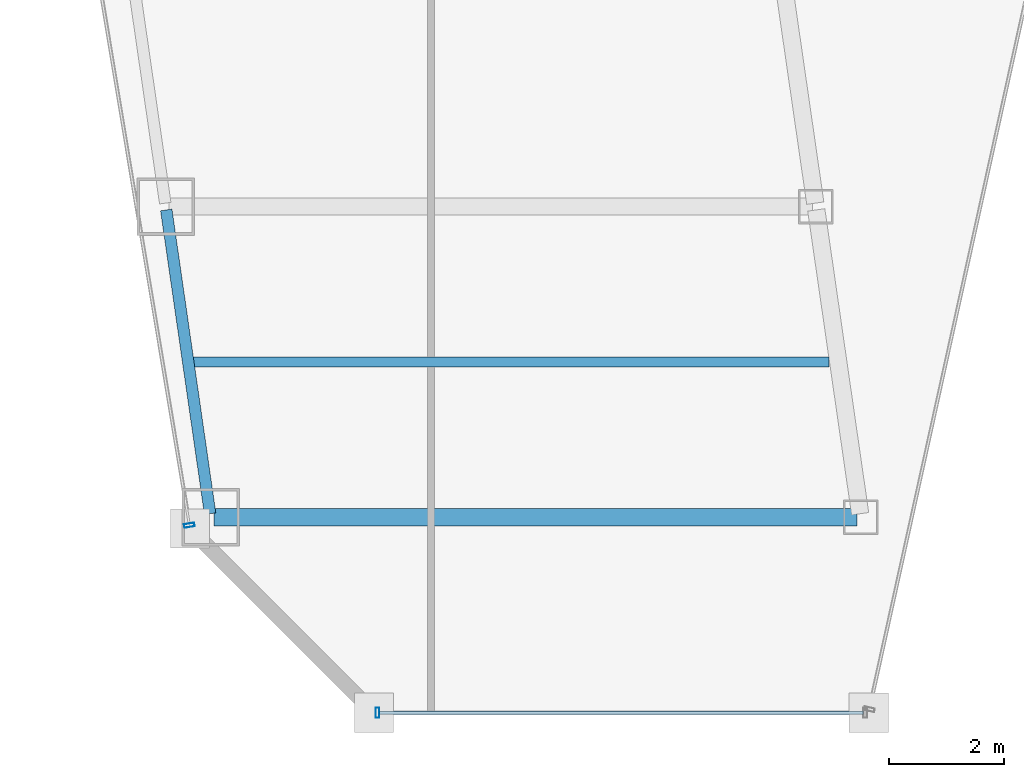
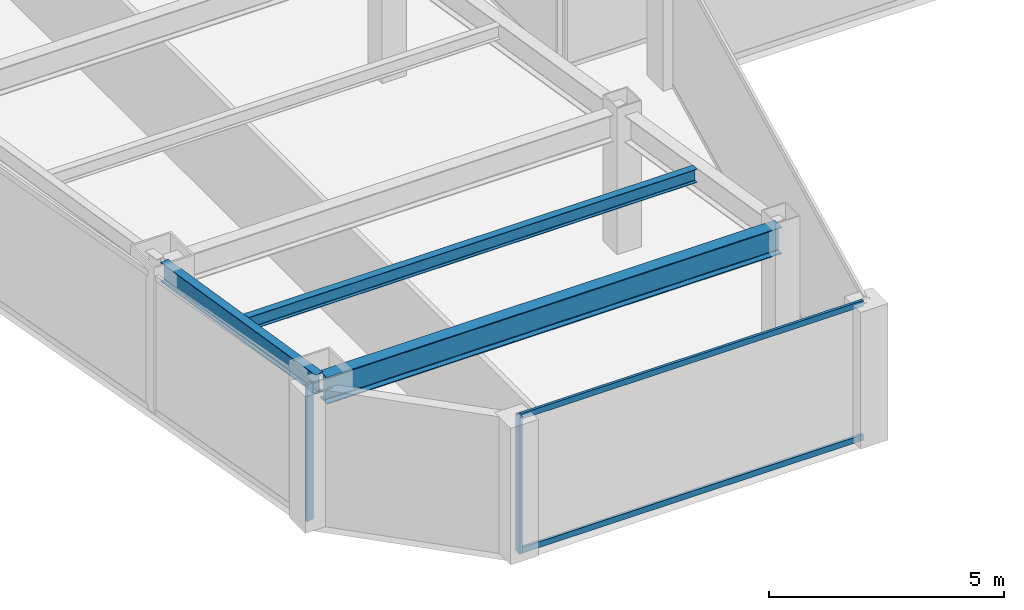
# One storey, part 2 of 37: 4 members, 3 beams, 2 elements without a shape of their own.
"""IFC4 building model written with IfcOpenShell, lengths in metres."""

from ifc_helpers import new_model, si_unit, direction, frame, origin, origin_2d, place, context, subcontext, project, spatial, hollow_rectangle, i_section, extrude, material, material_profile, profile_set, type_object, element, aggregate, save


model = new_model("IFC4")

# Units and contexts
model_context = context("Model", 3, precision=1e-05, world=origin(), true_north=direction((0.0, 1.0)))
body_context = subcontext(model_context, "Body", "Model", "MODEL_VIEW")
ifc_project = project(units=[si_unit("LENGTHUNIT", "METRE"), si_unit("AREAUNIT", "SQUARE_METRE"), si_unit("VOLUMEUNIT", "CUBIC_METRE"), si_unit("PLANEANGLEUNIT", "RADIAN"), si_unit("MASSUNIT", "GRAM", prefix="KILO")], contexts=[model_context])

# Site, building, storey
site_placement = place(None, origin())
site = spatial("IfcSite", under=ifc_project, at=site_placement, CompositionType="ELEMENT")
building_placement = place(site_placement, origin())
building = spatial("IfcBuilding", under=site, at=building_placement, Name="Saevonmaru Cultural Tower", CompositionType="ELEMENT")
storey_placement = place(building_placement, frame((0.0, 0.0, 144.800048828125)))
storey = spatial("IfcBuildingStorey", under=building, at=storey_placement, Name="L31", CompositionType="ELEMENT", Elevation=144.800048828125)

# Beams
ifc_material_1 = material(Name="Steel SM355", Category="steel")
ifc_material_profile_1 = material_profile(ifc_material_1, i_section(OverallWidth=0.300048828125, OverallDepth=0.699951171875, WebThickness=0.012939453125, FlangeThickness=0.02392578125, FilletRadius=0.02587890625, at=origin_2d()), Name="H-700x300x13x24")
ifc_profile_set_1 = profile_set([ifc_material_profile_1], Name="Steel SM355")
beam_type_1 = type_object("IfcBeamType", Name="BM-G-H700", PredefinedType="BEAM", material=ifc_profile_set_1)
beam_1_placement = place(storey_placement, frame((11.468017578125, 10.60009765625, 3.199951171875), z_axis=(1.0, 0.0, 0.0), x_axis=(0.0, 1.0, 0.0)))
element("IfcBeam", 1, at=beam_1_placement, inside=storey, type_object=beam_type_1, Name="L31 West Wing Transverse Girder 1", PredefinedType="BEAM", context=body_context, shape_type="SweptSolid", body=[
    extrude(i_section(OverallWidth=0.300048828125, OverallDepth=0.699951171875, WebThickness=0.012939453125, FlangeThickness=0.02392578125, FilletRadius=0.02587890625, at=origin_2d()), origin(), (0.0, 0.0, 1.0), 11.179931640625),
])
ifc_material_profile_2 = material_profile(ifc_material_1, i_section(OverallWidth=0.175048828125, OverallDepth=0.35009765625, WebThickness=0.007080078125, FlangeThickness=0.010986328125, FilletRadius=0.012939453125, at=origin_2d()), Name="H-350x175x7x11")
ifc_profile_set_2 = profile_set([ifc_material_profile_2], Name="Steel SM355")
beam_type_2 = type_object("IfcBeamType", Name="BM-J-H350", PredefinedType="JOIST", material=ifc_profile_set_2)
beam_2_placement = place(storey_placement, frame((11.077880859375, 13.300048828125, 3.375), z_axis=(1.0, 0.0, 0.0), x_axis=(0.0, 1.0, 0.0)))
element("IfcBeam", 2, at=beam_2_placement, inside=storey, type_object=beam_type_2, Name="L31 West Wing Floor Joist 1", PredefinedType="JOIST", context=body_context, shape_type="SweptSolid", body=[
    extrude(i_section(OverallWidth=0.175048828125, OverallDepth=0.35009765625, WebThickness=0.007080078125, FlangeThickness=0.010986328125, FilletRadius=0.012939453125, at=origin_2d()), origin(), (0.0, 0.0, 1.0), 11.08203125),
])
ifc_material_profile_3 = material_profile(ifc_material_1, i_section(OverallWidth=0.199951171875, OverallDepth=0.5, WebThickness=0.010009765625, FlangeThickness=0.01611328125, FilletRadius=0.02001953125, at=origin_2d()), Name="H-500x200x10x16")
ifc_profile_set_3 = profile_set([ifc_material_profile_3], Name="Steel SM355")
beam_type_3 = type_object("IfcBeamType", Name="BM-SP-H500", PredefinedType="SPANDREL", material=ifc_profile_set_3)
beam_3_placement = place(storey_placement, frame((11.3994140625, 10.659423828125, 3.300048828125), z_axis=(-0.1429328758, 0.989732384544, 0.0), x_axis=(-0.989732384544, -0.1429328758, 0.0)))
element("IfcBeam", 3, at=beam_3_placement, inside=storey, type_object=beam_type_3, Name="L31 West Splayed Spandrel 1", PredefinedType="SPANDREL", context=body_context, shape_type="SweptSolid", body=[
    extrude(i_section(OverallWidth=0.199951171875, OverallDepth=0.5, WebThickness=0.010009765625, FlangeThickness=0.01611328125, FilletRadius=0.02001953125, at=origin_2d()), origin(), (0.0, 0.0, 1.0), 5.3359375),
])

# Curtain wall, member
ifc_material_2 = material(Name="Satin Bronze Anodised Aluminium", Category="aluminium")
curtain_wall_type = type_object("IfcCurtainWallType", Name="CW-TYP-A", PredefinedType="NOTDEFINED", material=ifc_material_2)
curtain_wall_1_placement = place(storey_placement, origin())
curtain_wall_1 = element("IfcCurtainWall", 4, at=curtain_wall_1_placement, inside=storey, type_object=curtain_wall_type, Name="L31 Unitised Curtain Wall E2", PredefinedType="NOTDEFINED")
ifc_material_profile_4 = material_profile(ifc_material_2, hollow_rectangle(XDim=0.06494140625, YDim=0.179931640625, WallThickness=0.00390625, at=origin_2d()), Name="ALU-MULL-180x65x4")
ifc_profile_set_4 = profile_set([ifc_material_profile_4], Name="Satin Bronze Anodised Aluminium")
member_type_1 = type_object("IfcMemberType", Name="ML-CW-180x65", PredefinedType="MULLION", material=ifc_profile_set_4)
member_1_placement = place(storey_placement, frame((14.308837890625, 7.199951171875, 0.0), z_axis=(0.0, 0.0, 1.0), x_axis=(1.0, 0.0, 0.0)))
member_1 = element("IfcMember", 5, at=member_1_placement, type_object=member_type_1, Name="CW-TW-L31-E2 mullion 1", PredefinedType="MULLION", context=body_context, shape_type="SweptSolid", body=[
    extrude(hollow_rectangle(XDim=0.06494140625, YDim=0.179931640625, WallThickness=0.00390625, at=origin_2d()), origin(), (0.0, 0.0, 1.0), 3.550048828125),
])

curtain_wall_2_placement = place(storey_placement, origin())
curtain_wall_2 = element("IfcCurtainWall", 6, at=curtain_wall_2_placement, inside=storey, type_object=curtain_wall_type, Name="L31 Unitised Curtain Wall E12", PredefinedType="NOTDEFINED")
member_2_placement = place(storey_placement, frame((11.0390625, 10.459228515625, 0.0), z_axis=(0.0, 0.0, 1.0), x_axis=(0.163998702345, -0.986460554523, 0.0)))
member_2 = element("IfcMember", 7, at=member_2_placement, type_object=member_type_1, Name="CW-TW-L31-E12 mullion 5", PredefinedType="MULLION", context=body_context, shape_type="SweptSolid", body=[
    extrude(hollow_rectangle(XDim=0.06494140625, YDim=0.179931640625, WallThickness=0.00390625, at=origin_2d()), origin(), (0.0, 0.0, 1.0), 3.550048828125),
])
aggregate(curtain_wall_2, [member_2])

# Member
ifc_material_profile_5 = material_profile(ifc_material_2, hollow_rectangle(XDim=0.06494140625, YDim=0.14990234375, WallThickness=0.00390625, at=origin_2d()), Name="ALU-TRAN-150x65x4")
ifc_profile_set_5 = profile_set([ifc_material_profile_5], Name="Satin Bronze Anodised Aluminium")
member_type_2 = type_object("IfcMemberType", Name="TR-CW-150x65", PredefinedType="USERDEFINED", material=ifc_profile_set_5)
member_3_placement = place(storey_placement, frame((14.34130859375, 7.199951171875, 0.032470703125), z_axis=(1.0, 0.0, 0.0), x_axis=(0.0, 1.0, 0.0)))
member_3 = element("IfcMember", 8, at=member_3_placement, type_object=member_type_2, Name="CW-TW-L31-E2 transom 1.1", ObjectType="TRANSOM", PredefinedType="USERDEFINED", context=body_context, shape_type="SweptSolid", body=[
    extrude(hollow_rectangle(XDim=0.06494140625, YDim=0.14990234375, WallThickness=0.00390625, at=origin_2d()), origin(), (0.0, 0.0, 1.0), 8.4150390625),
])

member_4_placement = place(storey_placement, frame((14.34130859375, 7.199951171875, 3.517333984375), z_axis=(1.0, 0.0, 0.0), x_axis=(0.0, 1.0, 0.0)))
member_4 = element("IfcMember", 9, at=member_4_placement, type_object=member_type_2, Name="CW-TW-L31-E2 transom 1.2", ObjectType="TRANSOM", PredefinedType="USERDEFINED", context=body_context, shape_type="SweptSolid", body=[
    extrude(hollow_rectangle(XDim=0.06494140625, YDim=0.14990234375, WallThickness=0.00390625, at=origin_2d()), origin(), (0.0, 0.0, 1.0), 8.4150390625),
])

aggregate(curtain_wall_1, [member_1, member_3, member_4])

save(model, "model.ifc")
